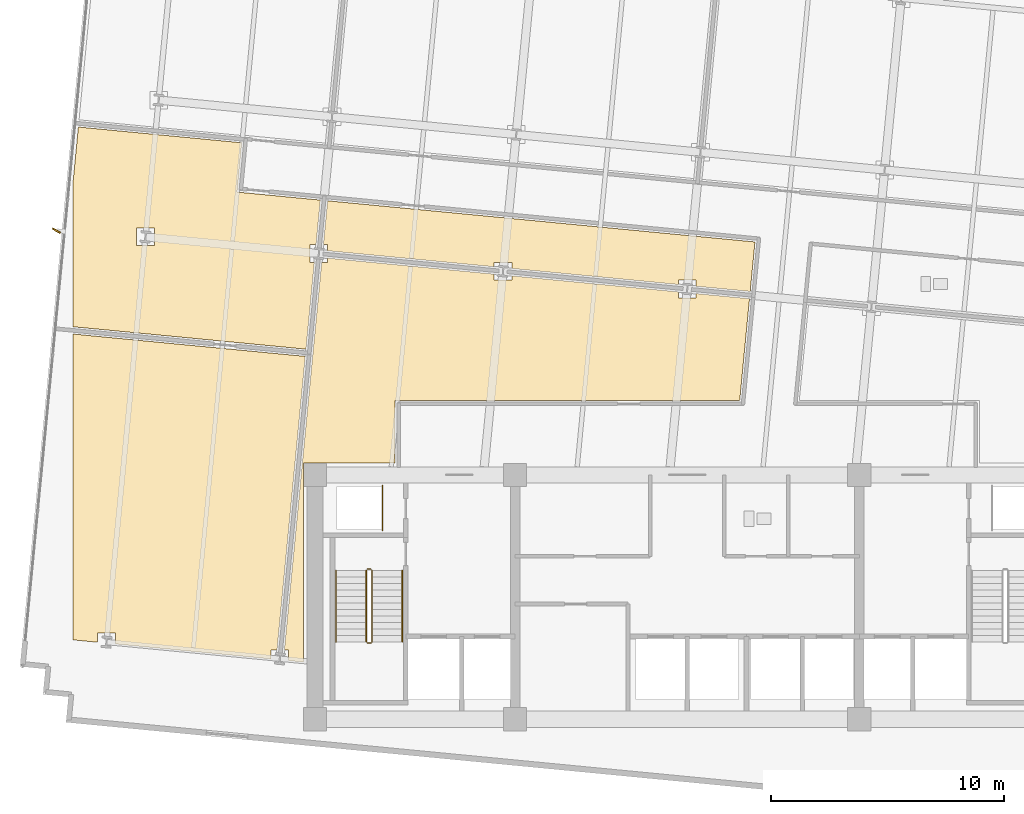
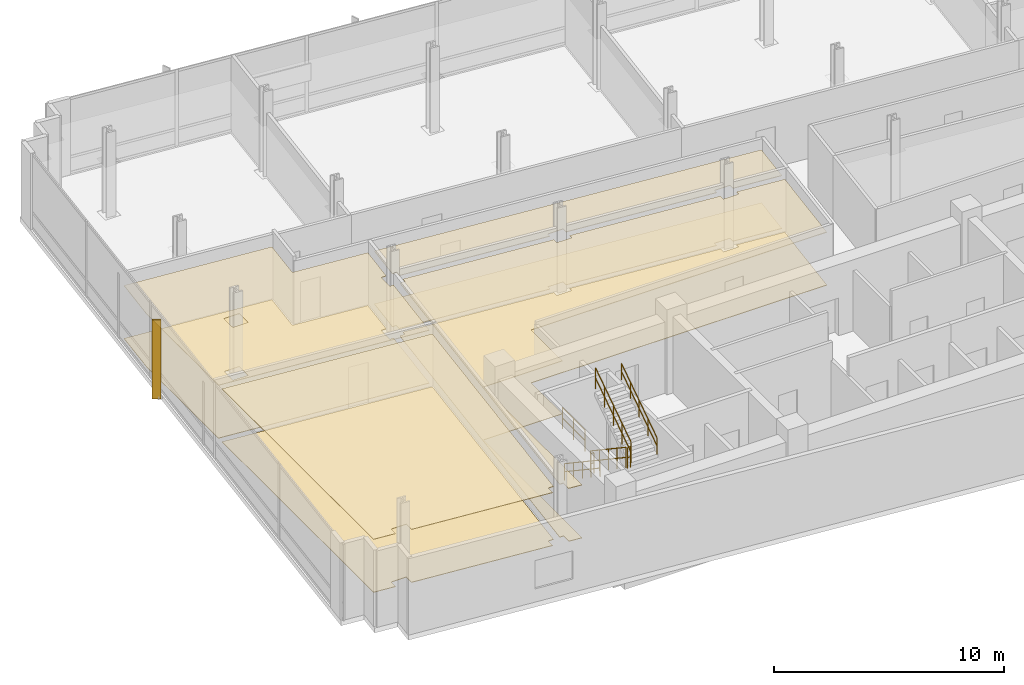
# One storey, part 14 of 17: 8 coverings, 7 railings, 1 shading device.
"""IFC4 building model written with IfcOpenShell, lengths in metres."""

from ifc_helpers import new_model, si_unit, direction, frame, origin, origin_2d, place, context, subcontext, project, spatial, polyline, rectangle, circle, outline, extrude, material, layer, layer_set, type_object, element, save


model = new_model("IFC4")

# Units and contexts
model_context = context("Model", 3, precision=1e-05, world=origin(), true_north=direction((0.0, 1.0)))
body_context = subcontext(model_context, "Body", "Model", "MODEL_VIEW")
ifc_project = project(units=[si_unit("LENGTHUNIT", "METRE"), si_unit("AREAUNIT", "SQUARE_METRE"), si_unit("VOLUMEUNIT", "CUBIC_METRE"), si_unit("PLANEANGLEUNIT", "RADIAN"), si_unit("MASSUNIT", "GRAM", prefix="KILO")], contexts=[model_context])

# Site, building, storey
site_placement = place(None, origin())
site = spatial("IfcSite", under=ifc_project, at=site_placement, CompositionType="ELEMENT")
building_placement = place(site_placement, origin())
building = spatial("IfcBuilding", under=site, at=building_placement, Name="Solmavex Isthmus Hotel", CompositionType="ELEMENT")
storey_placement = place(building_placement, frame((0.0, 0.0, 181.800048828125)))
storey = spatial("IfcBuildingStorey", under=building, at=storey_placement, Name="L49", CompositionType="ELEMENT", Elevation=181.800048828125)

# Coverings
ifc_material_1 = material(Name="Gypsum plasterboard lining", Category="gypsum")
ifc_layer_1 = layer(ifc_material_1, 0.030029296875)
ifc_layer_set_1 = layer_set([ifc_layer_1], Name="Gypsum plasterboard lining")
covering_type_1 = type_object("IfcCoveringType", Name="COV-CEIL-GYP", PredefinedType="CEILING", material=ifc_layer_set_1)
covering_1_placement = place(storey_placement, frame((0.0, 0.0, 2.800048828125)))
element("IfcCovering", 1, at=covering_1_placement, inside=storey, type_object=covering_type_1, Name="Suspended Acoustic Ceiling L49-FL07", PredefinedType="CEILING", context=body_context, shape_type="SweptSolid", body=[
    extrude(outline(polyline([(-0.378662109375, 5.6826171875), (-0.378662109375, 5.870361328125), (0.38134765625, 5.870361328125), (0.38134765625, 5.609375), (2.706787109375, 5.385498046875), (2.911865234375, 7.515625), (-15.463134765625, 9.284912109375), (-15.645263671875, 7.3955078125), (-15.45751953125, 7.3955078125), (-15.45751953125, 7.134521484375), (-8.298095703125, 6.445068359375), (-8.298095703125, 6.6328125), (-7.5380859375, 6.6328125), (-7.5380859375, 6.3720703125), (-0.378662109375, 5.6826171875)])), origin(), (0.0, 0.0, 1.0), 0.02978515625),
])
covering_2_placement = place(storey_placement, frame((0.0, 0.0, 2.800048828125)))
element("IfcCovering", 2, at=covering_2_placement, inside=storey, type_object=covering_type_1, Name="Suspended Acoustic Ceiling L49-FL09", PredefinedType="CEILING", context=body_context, shape_type="SweptSolid", body=[
    extrude(outline(polyline([(-16.02978515625, 6.635498046875), (-16.217529296875, 6.635498046875), (-16.217529296875, 7.3955078125), (-15.95654296875, 7.3955078125), (-15.771728515625, 9.314697265625), (-19.355224609375, 9.65966796875), (-19.151123046875, 11.780029296875), (-26.176513671875, 12.45654296875), (-26.39990234375, 10.135986328125), (-26.39990234375, 3.868408203125), (-16.38916015625, 2.904296875), (-16.02978515625, 6.635498046875)]), holes=[polyline([(-23.6708984375, 7.35302734375), (-23.6708984375, 8.113037109375), (-22.910888671875, 8.113037109375), (-22.910888671875, 7.35302734375), (-23.6708984375, 7.35302734375)])]), origin(), (0.0, 0.0, 1.0), 0.02978515625),
])
covering_3_placement = place(storey_placement, frame((0.0, 0.0, 2.800048828125)))
element("IfcCovering", 3, at=covering_3_placement, inside=storey, type_object=covering_type_1, Name="Suspended Acoustic Ceiling L49-FL11", PredefinedType="CEILING", context=body_context, shape_type="SweptSolid", body=[
    extrude(outline(polyline([(-17.322509765625, -10.02392578125), (-17.134765625, -10.02392578125), (-17.134765625, -10.48583984375), (-16.5048828125, -10.54638671875), (-16.5048828125, -1.9951171875), (-12.554931640625, -1.9951171875), (-12.554931640625, 0.705078125), (2.256103515625, 0.705078125), (2.677001953125, 5.076904296875), (0.38134765625, 5.298095703125), (0.38134765625, 5.1103515625), (-0.378662109375, 5.1103515625), (-0.378662109375, 5.37109375), (-7.5380859375, 6.060546875), (-7.5380859375, 5.872802734375), (-8.298095703125, 5.872802734375), (-8.298095703125, 6.1337890625), (-15.45751953125, 6.822998046875), (-15.45751953125, 6.635498046875), (-15.71826171875, 6.635498046875), (-17.322509765625, -10.02392578125)])), origin(), (0.0, 0.0, 1.0), 0.02978515625),
])
covering_4_placement = place(storey_placement, frame((0.0, 0.0, 2.800048828125)))
element("IfcCovering", 4, at=covering_4_placement, inside=storey, type_object=covering_type_1, Name="Suspended Acoustic Ceiling L49-FL12", PredefinedType="CEILING", context=body_context, shape_type="SweptSolid", body=[
    extrude(outline(polyline([(-17.894775390625, -10.41259765625), (-17.894775390625, -10.02392578125), (-17.6337890625, -10.02392578125), (-16.418701171875, 2.595703125), (-26.39990234375, 3.556884765625), (-26.39990234375, -9.59375), (-25.348388671875, -9.69482421875), (-25.348388671875, -9.306396484375), (-24.58837890625, -9.306396484375), (-24.58837890625, -9.76806640625), (-17.894775390625, -10.41259765625)])), origin(), (0.0, 0.0, 1.0), 0.02978515625),
])
ifc_material_2 = material(Name="Travertine natural stone", Category="masonry")
ifc_layer_2 = layer(ifc_material_2, 0.02490234375)
ifc_layer_set_2 = layer_set([ifc_layer_2], Name="Travertine natural stone")
covering_type_2 = type_object("IfcCoveringType", Name="COV-FLOR-STN", PredefinedType="FLOORING", material=ifc_layer_set_2)
covering_5_placement = place(storey_placement, origin())
element("IfcCovering", 5, at=covering_5_placement, inside=storey, type_object=covering_type_2, Name="Stone and Timber Floor Finish L49-FL07", PredefinedType="FLOORING", context=body_context, shape_type="SweptSolid", body=[
    extrude(outline(polyline([(-0.378662109375, 5.6826171875), (-0.378662109375, 5.870361328125), (0.38134765625, 5.870361328125), (0.38134765625, 5.609375), (2.706787109375, 5.385498046875), (2.911865234375, 7.515625), (-15.463134765625, 9.284912109375), (-15.645263671875, 7.3955078125), (-15.45751953125, 7.3955078125), (-15.45751953125, 7.134521484375), (-8.298095703125, 6.445068359375), (-8.298095703125, 6.6328125), (-7.5380859375, 6.6328125), (-7.5380859375, 6.3720703125), (-0.378662109375, 5.6826171875)])), origin(), (0.0, 0.0, 1.0), 0.02490234375),
])
covering_6_placement = place(storey_placement, origin())
element("IfcCovering", 6, at=covering_6_placement, inside=storey, type_object=covering_type_2, Name="Stone and Timber Floor Finish L49-FL09", PredefinedType="FLOORING", context=body_context, shape_type="SweptSolid", body=[
    extrude(outline(polyline([(-16.02978515625, 6.635498046875), (-16.217529296875, 6.635498046875), (-16.217529296875, 7.3955078125), (-15.95654296875, 7.3955078125), (-15.771728515625, 9.314697265625), (-19.355224609375, 9.65966796875), (-19.151123046875, 11.780029296875), (-26.176513671875, 12.45654296875), (-26.39990234375, 10.135986328125), (-26.39990234375, 3.868408203125), (-16.38916015625, 2.904296875), (-16.02978515625, 6.635498046875)]), holes=[polyline([(-23.6708984375, 7.35302734375), (-23.6708984375, 8.113037109375), (-22.910888671875, 8.113037109375), (-22.910888671875, 7.35302734375), (-23.6708984375, 7.35302734375)])]), origin(), (0.0, 0.0, 1.0), 0.02490234375),
])
covering_7_placement = place(storey_placement, origin())
element("IfcCovering", 7, at=covering_7_placement, inside=storey, type_object=covering_type_2, Name="Stone and Timber Floor Finish L49-FL11", PredefinedType="FLOORING", context=body_context, shape_type="SweptSolid", body=[
    extrude(outline(polyline([(-17.322509765625, -10.02392578125), (-17.134765625, -10.02392578125), (-17.134765625, -10.48583984375), (-16.5048828125, -10.54638671875), (-16.5048828125, -1.9951171875), (-12.554931640625, -1.9951171875), (-12.554931640625, 0.705078125), (2.256103515625, 0.705078125), (2.677001953125, 5.076904296875), (0.38134765625, 5.298095703125), (0.38134765625, 5.1103515625), (-0.378662109375, 5.1103515625), (-0.378662109375, 5.37109375), (-7.5380859375, 6.060546875), (-7.5380859375, 5.872802734375), (-8.298095703125, 5.872802734375), (-8.298095703125, 6.1337890625), (-15.45751953125, 6.822998046875), (-15.45751953125, 6.635498046875), (-15.71826171875, 6.635498046875), (-17.322509765625, -10.02392578125)])), origin(), (0.0, 0.0, 1.0), 0.02490234375),
])
covering_8_placement = place(storey_placement, origin())
element("IfcCovering", 8, at=covering_8_placement, inside=storey, type_object=covering_type_2, Name="Stone and Timber Floor Finish L49-FL12", PredefinedType="FLOORING", context=body_context, shape_type="SweptSolid", body=[
    extrude(outline(polyline([(-17.894775390625, -10.41259765625), (-17.894775390625, -10.02392578125), (-17.6337890625, -10.02392578125), (-16.418701171875, 2.595703125), (-26.39990234375, 3.556884765625), (-26.39990234375, -9.59375), (-25.348388671875, -9.69482421875), (-25.348388671875, -9.306396484375), (-24.58837890625, -9.306396484375), (-24.58837890625, -9.76806640625), (-17.894775390625, -10.41259765625)])), origin(), (0.0, 0.0, 1.0), 0.02490234375),
])

# Railings
ifc_material_3 = material(Name="Clear low-E laminated glass", Category="glass")
ifc_layer_3 = layer(ifc_material_3, 0.080078125)
ifc_layer_set_3 = layer_set([ifc_layer_3], Name="Clear low-E laminated glass")
railing_type_1 = type_object("IfcRailingType", Name="RAIL-ATRIUM-1120", PredefinedType="BALUSTRADE", material=ifc_layer_set_3)
railing_1_placement = place(storey_placement, frame((-13.10009765625, -4.89990234375, 0.0)))
element("IfcRailing", 9, at=railing_1_placement, inside=storey, type_object=railing_type_1, Name="Guardrail Balustrade L49-RSW-01", PredefinedType="BALUSTRADE", context=body_context, shape_type="SweptSolid", body=[
    extrude(circle(Radius=0.02392578125, at=origin_2d()), frame((0.0, 0.0, 1.1259765625), z_axis=(0.0, 1.0, 0.0), x_axis=(-1.0, 0.0, 0.0)), (0.0, 0.0, 1.0), 1.949951171875),
    extrude(circle(Radius=0.02392578125, at=origin_2d()), frame((0.0, 0.0, 0.574951171875), z_axis=(0.0, 1.0, 0.0), x_axis=(-1.0, 0.0, 0.0)), (0.0, 0.0, 1.0), 1.949951171875),
    extrude(circle(Radius=0.02099609375, at=origin_2d()), origin(), (0.0, 0.0, 1.0), 1.101806640625),
    extrude(circle(Radius=0.02099609375, at=origin_2d()), frame((0.0, 0.97509765625, 0.0)), (0.0, 0.0, 1.0), 1.101806640625),
    extrude(circle(Radius=0.02099609375, at=origin_2d()), frame((0.0, 1.949951171875, 0.0)), (0.0, 0.0, 1.0), 1.101806640625),
])
ifc_material_4 = material(Name="Stainless steel 316", Category="steel")
ifc_layer_4 = layer(ifc_material_4, 0.06005859375)
ifc_layer_set_4 = layer_set([ifc_layer_4], Name="Stainless steel 316")
railing_type_2 = type_object("IfcRailingType", Name="RAIL-STAIR-GD", PredefinedType="GUARDRAIL", material=ifc_layer_set_4)
railing_2_placement = place(storey_placement, frame((-13.800048828125, -6.60009765625, 0.1875)))
element("IfcRailing", 10, at=railing_2_placement, inside=storey, type_object=railing_type_2, Name="L49 ST-1 stair guard 1", PredefinedType="GUARDRAIL", context=body_context, shape_type="SweptSolid", body=[
    extrude(circle(Radius=0.02392578125, at=origin_2d()), frame((0.0, 0.0, 1.09619140625), z_axis=(0.0, -0.830893310487, 0.556431762742), x_axis=(1.0, 0.0, 0.0)), (0.0, 0.0, 1.0), 3.70654296875),
    extrude(circle(Radius=0.02392578125, at=origin_2d()), frame((0.0, 0.0, 0.56005859375), z_axis=(0.0, -0.830893310487, 0.556431762742), x_axis=(1.0, 0.0, 0.0)), (0.0, 0.0, 1.0), 3.70654296875),
    extrude(circle(Radius=0.02099609375, at=origin_2d()), origin(), (0.0, 0.0, 1.0), 1.072021484375),
    extrude(circle(Radius=0.02099609375, at=origin_2d()), frame((0.0, -0.77001953125, 0.515625)), (0.0, 0.0, 1.0), 1.072021484375),
    extrude(circle(Radius=0.02099609375, at=origin_2d()), frame((0.0, -1.5400390625, 1.03125)), (0.0, 0.0, 1.0), 1.072021484375),
    extrude(circle(Radius=0.02099609375, at=origin_2d()), frame((0.0, -2.309814453125, 1.546875)), (0.0, 0.0, 1.0), 1.072021484375),
    extrude(circle(Radius=0.02099609375, at=origin_2d()), frame((0.0, -3.079833984375, 2.0625)), (0.0, 0.0, 1.0), 1.072021484375),
])
railing_3_placement = place(storey_placement, frame((-13.75, -9.72998046875, 2.25)))
element("IfcRailing", 11, at=railing_3_placement, inside=storey, type_object=railing_type_2, Name="L49 ST-1 stair guard 2", PredefinedType="GUARDRAIL", context=body_context, shape_type="SweptSolid", body=[
    extrude(circle(Radius=0.02392578125, at=origin_2d()), frame((0.0, 0.0, 1.09619140625), z_axis=(1.0, 0.0, 0.0), x_axis=(0.0, 1.0, 0.0)), (0.0, 0.0, 1.0), 0.14990234375),
    extrude(circle(Radius=0.02392578125, at=origin_2d()), frame((0.0, 0.0, 0.56005859375), z_axis=(1.0, 0.0, 0.0), x_axis=(0.0, 1.0, 0.0)), (0.0, 0.0, 1.0), 0.14990234375),
    extrude(circle(Radius=0.02099609375, at=origin_2d()), origin(), (0.0, 0.0, 1.0), 1.072021484375),
    extrude(circle(Radius=0.02099609375, at=origin_2d()), frame((0.14990234375, 0.0, 0.0)), (0.0, 0.0, 1.0), 1.072021484375),
])
railing_4_placement = place(storey_placement, frame((-13.550048828125, -9.679931640625, 2.4375)))
element("IfcRailing", 12, at=railing_4_placement, inside=storey, type_object=railing_type_2, Name="L49 ST-1 stair guard 3", PredefinedType="GUARDRAIL", context=body_context, shape_type="SweptSolid", body=[
    extrude(circle(Radius=0.02392578125, at=origin_2d()), frame((0.0, 0.0, 1.09619140625), z_axis=(0.0, 0.830893310487, 0.556431762742), x_axis=(-1.0, 0.0, 0.0)), (0.0, 0.0, 1.0), 3.70654296875),
    extrude(circle(Radius=0.02392578125, at=origin_2d()), frame((0.0, 0.0, 0.56005859375), z_axis=(0.0, 0.830893310487, 0.556431762742), x_axis=(-1.0, 0.0, 0.0)), (0.0, 0.0, 1.0), 3.70654296875),
    extrude(circle(Radius=0.02099609375, at=origin_2d()), origin(), (0.0, 0.0, 1.0), 1.072021484375),
    extrude(circle(Radius=0.02099609375, at=origin_2d()), frame((0.0, 0.77001953125, 0.515625)), (0.0, 0.0, 1.0), 1.072021484375),
    extrude(circle(Radius=0.02099609375, at=origin_2d()), frame((0.0, 1.5400390625, 1.03125)), (0.0, 0.0, 1.0), 1.072021484375),
    extrude(circle(Radius=0.02099609375, at=origin_2d()), frame((0.0, 2.309814453125, 1.546875)), (0.0, 0.0, 1.0), 1.072021484375),
    extrude(circle(Radius=0.02099609375, at=origin_2d()), frame((0.0, 3.079833984375, 2.0625)), (0.0, 0.0, 1.0), 1.072021484375),
])
railing_5_placement = place(storey_placement, frame((-13.75, -6.550048828125, 0.0)))
element("IfcRailing", 13, at=railing_5_placement, inside=storey, type_object=railing_type_2, Name="L49 ST-1 stair guard 4", PredefinedType="GUARDRAIL", context=body_context, shape_type="SweptSolid", body=[
    extrude(circle(Radius=0.02392578125, at=origin_2d()), frame((0.0, 0.0, 1.09619140625), z_axis=(1.0, 0.0, 0.0), x_axis=(0.0, 1.0, 0.0)), (0.0, 0.0, 1.0), 0.14990234375),
    extrude(circle(Radius=0.02392578125, at=origin_2d()), frame((0.0, 0.0, 0.56005859375), z_axis=(1.0, 0.0, 0.0), x_axis=(0.0, 1.0, 0.0)), (0.0, 0.0, 1.0), 0.14990234375),
    extrude(circle(Radius=0.02099609375, at=origin_2d()), origin(), (0.0, 0.0, 1.0), 1.072021484375),
    extrude(circle(Radius=0.02099609375, at=origin_2d()), frame((0.14990234375, 0.0, 0.0)), (0.0, 0.0, 1.0), 1.072021484375),
])
ifc_layer_5 = layer(ifc_material_4, 0.050048828125)
ifc_layer_set_5 = layer_set([ifc_layer_5], Name="Stainless steel 316")
railing_type_3 = type_object("IfcRailingType", Name="RAIL-STAIR-HR", PredefinedType="HANDRAIL", material=ifc_layer_set_5)
railing_6_placement = place(storey_placement, frame((-15.10009765625, -6.60009765625, 0.1875)))
element("IfcRailing", 14, at=railing_6_placement, inside=storey, type_object=railing_type_3, Name="L49 ST-1 stair handrail 1", PredefinedType="HANDRAIL", context=body_context, shape_type="SweptSolid", body=[
    extrude(circle(Radius=0.02392578125, at=origin_2d()), frame((0.0, 0.0, 0.8759765625), z_axis=(0.0, -0.830893310487, 0.556431762742), x_axis=(1.0, 0.0, 0.0)), (0.0, 0.0, 1.0), 3.70654296875),
    extrude(circle(Radius=0.02392578125, at=origin_2d()), frame((0.0, 0.0, 0.449951171875), z_axis=(0.0, -0.830893310487, 0.556431762742), x_axis=(1.0, 0.0, 0.0)), (0.0, 0.0, 1.0), 3.70654296875),
    extrude(circle(Radius=0.02099609375, at=origin_2d()), origin(), (0.0, 0.0, 1.0), 0.851806640625),
    extrude(circle(Radius=0.02099609375, at=origin_2d()), frame((0.0, -0.77001953125, 0.515625)), (0.0, 0.0, 1.0), 0.851806640625),
    extrude(circle(Radius=0.02099609375, at=origin_2d()), frame((0.0, -1.5400390625, 1.03125)), (0.0, 0.0, 1.0), 0.851806640625),
    extrude(circle(Radius=0.02099609375, at=origin_2d()), frame((0.0, -2.309814453125, 1.546875)), (0.0, 0.0, 1.0), 0.851806640625),
    extrude(circle(Radius=0.02099609375, at=origin_2d()), frame((0.0, -3.079833984375, 2.0625)), (0.0, 0.0, 1.0), 0.851806640625),
])
railing_7_placement = place(storey_placement, frame((-12.25, -9.679931640625, 2.4375)))
element("IfcRailing", 15, at=railing_7_placement, inside=storey, type_object=railing_type_3, Name="L49 ST-1 stair handrail 2", PredefinedType="HANDRAIL", context=body_context, shape_type="SweptSolid", body=[
    extrude(circle(Radius=0.02392578125, at=origin_2d()), frame((0.0, 0.0, 0.8759765625), z_axis=(0.0, 0.830893310487, 0.556431762742), x_axis=(-1.0, 0.0, 0.0)), (0.0, 0.0, 1.0), 3.70654296875),
    extrude(circle(Radius=0.02392578125, at=origin_2d()), frame((0.0, 0.0, 0.449951171875), z_axis=(0.0, 0.830893310487, 0.556431762742), x_axis=(-1.0, 0.0, 0.0)), (0.0, 0.0, 1.0), 3.70654296875),
    extrude(circle(Radius=0.02099609375, at=origin_2d()), origin(), (0.0, 0.0, 1.0), 0.851806640625),
    extrude(circle(Radius=0.02099609375, at=origin_2d()), frame((0.0, 0.77001953125, 0.515625)), (0.0, 0.0, 1.0), 0.851806640625),
    extrude(circle(Radius=0.02099609375, at=origin_2d()), frame((0.0, 1.5400390625, 1.03125)), (0.0, 0.0, 1.0), 0.851806640625),
    extrude(circle(Radius=0.02099609375, at=origin_2d()), frame((0.0, 2.309814453125, 1.546875)), (0.0, 0.0, 1.0), 0.851806640625),
    extrude(circle(Radius=0.02099609375, at=origin_2d()), frame((0.0, 3.079833984375, 2.0625)), (0.0, 0.0, 1.0), 0.851806640625),
])

# Shading device
ifc_material_5 = material(Name="Aluminium alloy 6063-T6", Category="aluminium")
shading_device_type = type_object("IfcShadingDeviceType", Name="SHD-FIN-CHAMP", PredefinedType="USERDEFINED", material=ifc_material_5)
shading_device_placement = place(storey_placement, frame((-27.122802734375, 8.001708984375, -0.14013671875), z_axis=(0.0, 0.0, 1.0), x_axis=(-0.87035569594, 0.492423560103, 0.0)))
element("IfcShadingDevice", 16, at=shading_device_placement, inside=storey, type_object=shading_device_type, Name="Anodised Aluminium Solar Fin L49-W1", ObjectType="SOLAR_FIN", PredefinedType="USERDEFINED", context=body_context, shape_type="SweptSolid", body=[
    extrude(rectangle(XDim=0.3798828125, YDim=0.070068359375, at=origin_2d()), origin(), (0.0, 0.0, 1.0), 4.18994140625),
])

save(model, "model.ifc")
